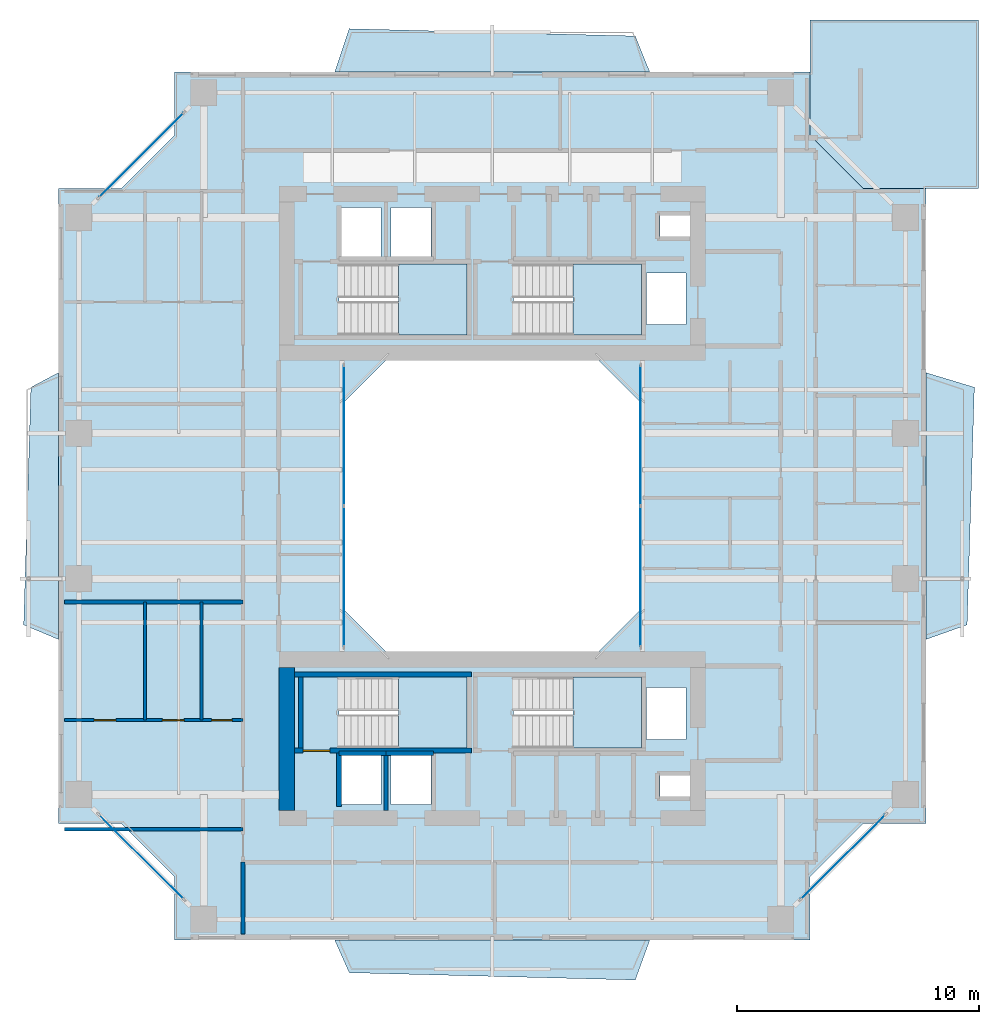
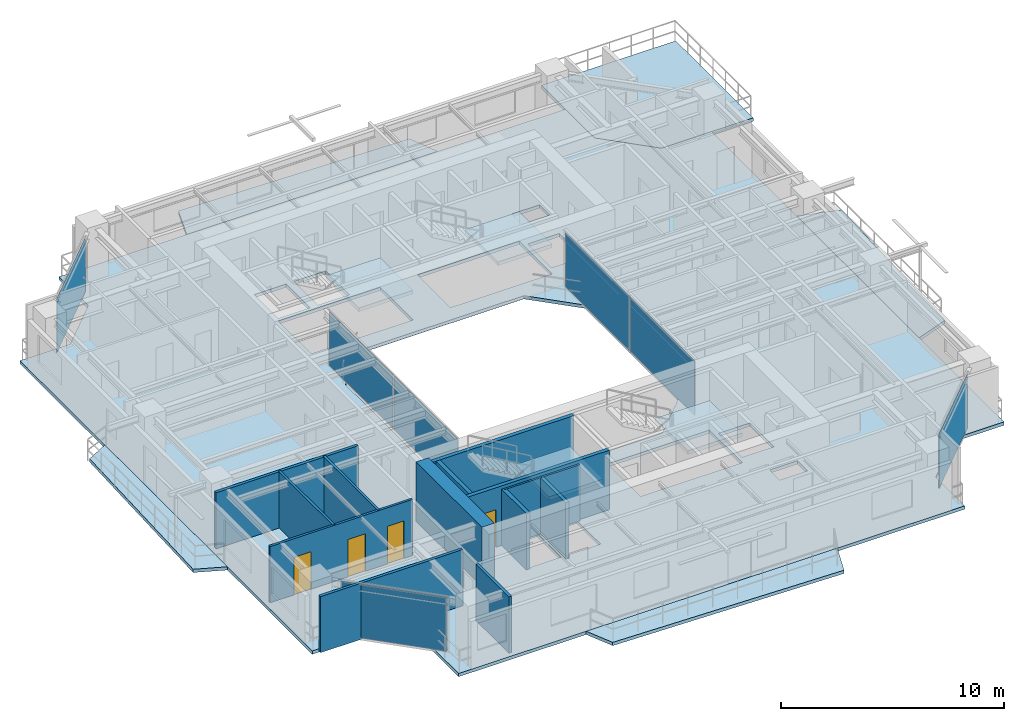
# One storey, part 9 of 17: 14 walls, 10 slabs, 7 plates, 4 doors, 4 openings, 9 elements without a shape of their own.
"""IFC4 building model written with IfcOpenShell, lengths in metres."""

from ifc_helpers import new_model, si_unit, direction, frame, frame_2d, origin, origin_2d, place, context, subcontext, project, spatial, polyline, rectangle, outline, extrude, source, transform, mapped, material, layer, layer_set, type_object, element, fill, aggregate, save


model = new_model("IFC4")

# Units and contexts
model_context = context("Model", 3, precision=1e-05, world=origin(), true_north=direction((0.0, 1.0)))
body_context = subcontext(model_context, "Body", "Model", "MODEL_VIEW")
ifc_project = project(units=[si_unit("LENGTHUNIT", "METRE"), si_unit("AREAUNIT", "SQUARE_METRE"), si_unit("VOLUMEUNIT", "CUBIC_METRE"), si_unit("PLANEANGLEUNIT", "RADIAN"), si_unit("MASSUNIT", "GRAM", prefix="KILO"), si_unit("THERMODYNAMICTEMPERATUREUNIT", "KELVIN"), si_unit("POWERUNIT", "WATT")], contexts=[model_context])

# Site, building, storey
site_placement = place(None, origin())
site = spatial("IfcSite", under=ifc_project, at=site_placement, CompositionType="ELEMENT")
building_placement = place(site_placement, origin())
building = spatial("IfcBuilding", under=site, at=building_placement, Name="Qiaomeng Ring Towers", CompositionType="ELEMENT")
storey_placement = place(building_placement, frame((0.0, 0.0, 123.0)))
storey = spatial("IfcBuildingStorey", under=building, at=storey_placement, Name="L35", CompositionType="ELEMENT", Elevation=123.0)

# Slabs
ifc_material_1 = material(Name="Concrete C40", Category="concrete")
ifc_layer_1 = layer(ifc_material_1, 0.179931640625, Name="Concrete C40")
ifc_layer_set_1 = layer_set([ifc_layer_1], Name="Concrete C40")
slab_type_1 = type_object("IfcSlabType", Name="STR-SL-180", PredefinedType="FLOOR", material=ifc_layer_set_1)
slab_1_placement = place(storey_placement, frame((0.0, 0.0, -0.179931640625)))
element("IfcSlab", 1, at=slab_1_placement, inside=storey, type_object=slab_type_1, Name="L35 Tower 1 Annular Floor Slab", PredefinedType="FLOOR", context=body_context, shape_type="SweptSolid", body=[
    extrude(outline(polyline([(5.89990234375, 5.10009765625), (32.10009765625, 5.10009765625), (32.10009765625, 7.699951171875), (34.300048828125, 9.89990234375), (36.89990234375, 9.89990234375), (36.89990234375, 36.10009765625), (34.300048828125, 36.10009765625), (32.10009765625, 38.300048828125), (32.10009765625, 40.89990234375), (5.89990234375, 40.89990234375), (5.89990234375, 38.300048828125), (3.699951171875, 36.10009765625), (1.10009765625, 36.10009765625), (1.10009765625, 9.89990234375), (3.699951171875, 9.89990234375), (5.89990234375, 7.699951171875), (5.89990234375, 5.10009765625)]), holes=[polyline([(12.780029296875, 10.679931640625), (12.780029296875, 12.820068359375), (14.419921875, 12.820068359375), (14.419921875, 10.679931640625), (12.780029296875, 10.679931640625)]), polyline([(14.830078125, 12.820068359375), (16.469970703125, 12.820068359375), (16.469970703125, 10.679931640625), (14.830078125, 10.679931640625), (14.830078125, 12.820068359375)]), polyline([(12.679931640625, 15.949951171875), (17.949951171875, 15.949951171875), (17.949951171875, 13.010009765625), (12.679931640625, 13.010009765625), (12.679931640625, 15.949951171875)]), polyline([(23.199951171875, 29.199951171875), (25.199951171875, 27.199951171875), (25.199951171875, 18.800048828125), (23.199951171875, 16.800048828125), (14.800048828125, 16.800048828125), (12.800048828125, 18.800048828125), (12.800048828125, 27.199951171875), (14.800048828125, 29.199951171875), (23.199951171875, 29.199951171875)]), polyline([(12.679931640625, 32.989990234375), (17.949951171875, 32.989990234375), (17.949951171875, 30.050048828125), (12.679931640625, 30.050048828125), (12.679931640625, 32.989990234375)]), polyline([(12.780029296875, 35.320068359375), (14.419921875, 35.320068359375), (14.419921875, 33.179931640625), (12.780029296875, 33.179931640625), (12.780029296875, 35.320068359375)]), polyline([(14.830078125, 33.179931640625), (14.830078125, 35.320068359375), (16.469970703125, 35.320068359375), (16.469970703125, 33.179931640625), (14.830078125, 33.179931640625)]), polyline([(25.919921875, 11.89990234375), (27.360107421875, 11.89990234375), (27.360107421875, 11.0), (25.919921875, 11.0), (25.919921875, 11.89990234375)]), polyline([(25.360107421875, 15.52001953125), (27.0, 15.52001953125), (27.0, 13.3798828125), (25.360107421875, 13.3798828125), (25.360107421875, 15.52001953125)]), polyline([(19.8798828125, 15.949951171875), (25.14990234375, 15.949951171875), (25.14990234375, 13.010009765625), (19.8798828125, 13.010009765625), (19.8798828125, 15.949951171875)]), polyline([(19.8798828125, 32.989990234375), (25.14990234375, 32.989990234375), (25.14990234375, 30.050048828125), (19.8798828125, 30.050048828125), (19.8798828125, 32.989990234375)]), polyline([(25.360107421875, 32.6201171875), (27.0, 32.6201171875), (27.0, 30.47998046875), (25.360107421875, 30.47998046875), (25.360107421875, 32.6201171875)]), polyline([(25.919921875, 35.0), (27.360107421875, 35.0), (27.360107421875, 34.10009765625), (25.919921875, 34.10009765625), (25.919921875, 35.0)])]), origin(), (0.0, 0.0, 1.0), 0.179931640625),
])
ifc_layer_2 = layer(ifc_material_1, 0.179931640625, Name="Concrete C40")
ifc_layer_set_2 = layer_set([ifc_layer_2], Name="Concrete C40")
slab_type_2 = type_object("IfcSlabType", Name="STR-SL-BAL", PredefinedType="FLOOR", material=ifc_layer_set_2)
slab_2_placement = place(storey_placement, frame((0.0, 0.0, -0.179931640625)))
element("IfcSlab", 2, at=slab_2_placement, inside=storey, type_object=slab_type_2, Name="L35 Tower 1 S Faceted Balcony Slab", PredefinedType="FLOOR", context=body_context, shape_type="SweptSolid", body=[
    extrude(outline(polyline([(24.89990234375, 3.449951171875), (13.10009765625, 3.75), (12.5, 5.10009765625), (25.5, 5.10009765625), (24.89990234375, 3.449951171875)])), origin(), (0.0, 0.0, 1.0), 0.179931640625),
])
slab_3_placement = place(storey_placement, frame((0.0, 0.0, -0.179931640625)))
element("IfcSlab", 3, at=slab_3_placement, inside=storey, type_object=slab_type_2, Name="L35 Tower 1 E Faceted Balcony Slab", PredefinedType="FLOOR", context=body_context, shape_type="SweptSolid", body=[
    extrude(outline(polyline([(38.889892578125, 27.89990234375), (38.590087890625, 18.10009765625), (36.89990234375, 17.5), (36.89990234375, 28.5), (38.889892578125, 27.89990234375)])), origin(), (0.0, 0.0, 1.0), 0.179931640625),
])
slab_4_placement = place(storey_placement, frame((0.0, 0.0, -0.179931640625)))
element("IfcSlab", 4, at=slab_4_placement, inside=storey, type_object=slab_type_2, Name="L35 Tower 1 N Faceted Balcony Slab", PredefinedType="FLOOR", context=body_context, shape_type="SweptSolid", body=[
    extrude(outline(polyline([(12.5, 40.89990234375), (13.10009765625, 42.68994140625), (24.89990234375, 42.389892578125), (25.5, 40.89990234375), (12.5, 40.89990234375)])), origin(), (0.0, 0.0, 1.0), 0.179931640625),
])
slab_5_placement = place(storey_placement, frame((0.0, 0.0, -0.179931640625)))
element("IfcSlab", 5, at=slab_5_placement, inside=storey, type_object=slab_type_2, Name="L35 Tower 1 W Faceted Balcony Slab", PredefinedType="FLOOR", context=body_context, shape_type="SweptSolid", body=[
    extrude(outline(polyline([(-0.330078125, 18.10009765625), (-0.030029296875, 27.89990234375), (1.10009765625, 28.5), (1.10009765625, 17.5), (-0.330078125, 18.10009765625)])), origin(), (0.0, 0.0, 1.0), 0.179931640625),
])

# Stair, slab
ifc_material_2 = material(Name="Precast concrete C40", Category="concrete")
stair_type = type_object("IfcStairType", Name="ARC-ST-325", PredefinedType="HALF_TURN_STAIR", material=ifc_material_2)
stair_1_placement = place(storey_placement, origin())
stair_1 = element("IfcStair", 6, at=stair_1_placement, inside=storey, type_object=stair_type, Name="L35 Tower 1 North Stair 1", PredefinedType="HALF_TURN_STAIR")
ifc_layer_3 = layer(ifc_material_1, 0.199951171875, Name="Concrete C40")
ifc_layer_set_3 = layer_set([ifc_layer_3], Name="Concrete C40")
slab_type_3 = type_object("IfcSlabType", Name="STR-SL-LANDING", PredefinedType="LANDING", material=ifc_layer_set_3)
slab_6_placement = place(storey_placement, frame((0.0, 0.0, 1.425048828125)))
slab_6 = element("IfcSlab", 7, at=slab_6_placement, type_object=slab_type_3, Name="ST1 landing 1", PredefinedType="LANDING", context=body_context, shape_type="SweptSolid", body=[
    extrude(outline(polyline([(15.139892578125, 30.050048828125), (17.949951171875, 30.050048828125), (17.949951171875, 32.989990234375), (15.139892578125, 32.989990234375), (15.139892578125, 30.050048828125)])), origin(), (0.0, 0.0, 1.0), 0.199951171875),
])
aggregate(stair_1, [slab_6])

stair_2_placement = place(storey_placement, origin())
stair_2 = element("IfcStair", 8, at=stair_2_placement, inside=storey, type_object=stair_type, Name="L35 Tower 1 North Stair 2", PredefinedType="HALF_TURN_STAIR")
slab_7_placement = place(storey_placement, frame((0.0, 0.0, 1.425048828125)))
slab_7 = element("IfcSlab", 9, at=slab_7_placement, type_object=slab_type_3, Name="ST2 landing 1", PredefinedType="LANDING", context=body_context, shape_type="SweptSolid", body=[
    extrude(outline(polyline([(22.340087890625, 30.050048828125), (25.14990234375, 30.050048828125), (25.14990234375, 32.989990234375), (22.340087890625, 32.989990234375), (22.340087890625, 30.050048828125)])), origin(), (0.0, 0.0, 1.0), 0.199951171875),
])
aggregate(stair_2, [slab_7])

stair_3_placement = place(storey_placement, origin())
stair_3 = element("IfcStair", 10, at=stair_3_placement, inside=storey, type_object=stair_type, Name="L35 Tower 1 South Stair 3", PredefinedType="HALF_TURN_STAIR")
slab_8_placement = place(storey_placement, frame((0.0, 0.0, 1.425048828125)))
slab_8 = element("IfcSlab", 11, at=slab_8_placement, type_object=slab_type_3, Name="ST3 landing 1", PredefinedType="LANDING", context=body_context, shape_type="SweptSolid", body=[
    extrude(outline(polyline([(15.139892578125, 13.010009765625), (17.949951171875, 13.010009765625), (17.949951171875, 15.949951171875), (15.139892578125, 15.949951171875), (15.139892578125, 13.010009765625)])), origin(), (0.0, 0.0, 1.0), 0.199951171875),
])
aggregate(stair_3, [slab_8])

stair_4_placement = place(storey_placement, origin())
stair_4 = element("IfcStair", 12, at=stair_4_placement, inside=storey, type_object=stair_type, Name="L35 Tower 1 South Stair 4", PredefinedType="HALF_TURN_STAIR")
slab_9_placement = place(storey_placement, frame((0.0, 0.0, 1.425048828125)))
slab_9 = element("IfcSlab", 13, at=slab_9_placement, type_object=slab_type_3, Name="ST4 landing 1", PredefinedType="LANDING", context=body_context, shape_type="SweptSolid", body=[
    extrude(outline(polyline([(22.340087890625, 13.010009765625), (25.14990234375, 13.010009765625), (25.14990234375, 15.949951171875), (22.340087890625, 15.949951171875), (22.340087890625, 13.010009765625)])), origin(), (0.0, 0.0, 1.0), 0.199951171875),
])
aggregate(stair_4, [slab_9])

# Slab
ifc_layer_4 = layer(ifc_material_1, 0.179931640625, Name="Concrete C40")
ifc_layer_set_4 = layer_set([ifc_layer_4], Name="Concrete C40")
slab_type_4 = type_object("IfcSlabType", Name="STR-SL-TERR180", PredefinedType="FLOOR", material=ifc_layer_set_4)
slab_10_placement = place(storey_placement, frame((0.0, 0.0, -0.179931640625)))
element("IfcSlab", 14, at=slab_10_placement, inside=storey, type_object=slab_type_4, Name="L35 Spiralling Corner Sky Terrace NE", PredefinedType="FLOOR", context=body_context, shape_type="SweptSolid", body=[
    extrude(outline(polyline([(32.10009765625, 43.050048828125), (39.050048828125, 43.050048828125), (39.050048828125, 36.10009765625), (36.89990234375, 36.10009765625), (34.300048828125, 36.10009765625), (32.10009765625, 38.300048828125), (32.10009765625, 40.89990234375), (32.10009765625, 43.050048828125)])), origin(), (0.0, 0.0, 1.0), 0.179931640625),
])

# Curtain wall, plates
ifc_material_3 = material(Name="Fluorocarbon dark-grey aluminium", Category="aluminium")
ifc_layer_5 = layer(ifc_material_3, 0.139892578125, Name="Fluorocarbon dark-grey aluminium")
ifc_layer_set_5 = layer_set([ifc_layer_5], Name="Fluorocarbon dark-grey aluminium")
curtain_wall_type_1 = type_object("IfcCurtainWallType", Name="ARC-CW-4", PredefinedType="NOTDEFINED", material=ifc_layer_set_5)
curtain_wall_1_placement = place(storey_placement, origin())
curtain_wall_1 = element("IfcCurtainWall", 15, at=curtain_wall_1_placement, inside=storey, type_object=curtain_wall_type_1, Name="L35 Curtain Wall CW4", PredefinedType="NOTDEFINED")
ifc_material_4 = material(Name="Low-E dark-grey laminated double glazing", Category="glass")
ifc_layer_6 = layer(ifc_material_4, 0.028076171875, Name="Low-E dark-grey laminated double glazing")
ifc_layer_set_6 = layer_set([ifc_layer_6], Name="Low-E dark-grey laminated double glazing")
plate_type = type_object("IfcPlateType", Name="ARC-CWP-DARK", PredefinedType="CURTAIN_PANEL", material=ifc_layer_set_6)
shared_shape_1 = source(origin(), body_context, "Body", "SweptSolid", [
    extrude(rectangle(XDim=5.75244140625, YDim=0.028076171875, at=origin_2d()), origin(), (0.0, 0.0, 1.0), 2.93994140625),
])
plate_1_placement = place(storey_placement, frame((12.8798828125, 20.09130859375, 0.06494140625), z_axis=(0.0, 0.0, 1.0), x_axis=(0.0, 1.0, 0.0)))
plate_1 = element("IfcPlate", 16, at=plate_1_placement, type_object=plate_type, Name="CW4 panel 1.1", PredefinedType="CURTAIN_PANEL", context=body_context, shape_type="MappedRepresentation", body=[
    mapped(shared_shape_1, transform((0.0, 0.0, 0.0), x_axis=(1.0, 0.0, 0.0), y_axis=(0.0, 1.0, 0.0), z_axis=(0.0, 0.0, 1.0), scale=1.0)),
])
plate_2_placement = place(storey_placement, frame((12.8798828125, 25.90869140625, 0.06494140625), z_axis=(0.0, 0.0, 1.0), x_axis=(0.0, 1.0, 0.0)))
plate_2 = element("IfcPlate", 17, at=plate_2_placement, type_object=plate_type, Name="CW4 panel 2.1", PredefinedType="CURTAIN_PANEL", context=body_context, shape_type="MappedRepresentation", body=[
    mapped(shared_shape_1, transform((0.0, 0.0, 0.0), x_axis=(1.0, 0.0, 0.0), y_axis=(0.0, 1.0, 0.0), z_axis=(0.0, 0.0, 1.0), scale=1.0)),
])
aggregate(curtain_wall_1, [plate_1, plate_2])

curtain_wall_2_placement = place(storey_placement, origin())
curtain_wall_2 = element("IfcCurtainWall", 18, at=curtain_wall_2_placement, inside=storey, type_object=curtain_wall_type_1, Name="L35 Curtain Wall CW4", PredefinedType="NOTDEFINED")
plate_3_placement = place(storey_placement, frame((25.1201171875, 20.09130859375, 0.06494140625), z_axis=(0.0, 0.0, 1.0), x_axis=(0.0, 1.0, 0.0)))
plate_3 = element("IfcPlate", 19, at=plate_3_placement, type_object=plate_type, Name="CW4 panel 1.1", PredefinedType="CURTAIN_PANEL", context=body_context, shape_type="MappedRepresentation", body=[
    mapped(shared_shape_1, transform((0.0, 0.0, 0.0), x_axis=(1.0, 0.0, 0.0), y_axis=(0.0, 1.0, 0.0), z_axis=(0.0, 0.0, 1.0), scale=1.0)),
])
plate_4_placement = place(storey_placement, frame((25.1201171875, 25.90869140625, 0.06494140625), z_axis=(0.0, 0.0, 1.0), x_axis=(0.0, 1.0, 0.0)))
plate_4 = element("IfcPlate", 20, at=plate_4_placement, type_object=plate_type, Name="CW4 panel 2.1", PredefinedType="CURTAIN_PANEL", context=body_context, shape_type="MappedRepresentation", body=[
    mapped(shared_shape_1, transform((0.0, 0.0, 0.0), x_axis=(1.0, 0.0, 0.0), y_axis=(0.0, 1.0, 0.0), z_axis=(0.0, 0.0, 1.0), scale=1.0)),
])
aggregate(curtain_wall_2, [plate_3, plate_4])

# Curtain wall, plate
ifc_layer_7 = layer(ifc_material_3, 0.14990234375, Name="Fluorocarbon dark-grey aluminium")
ifc_layer_set_7 = layer_set([ifc_layer_7], Name="Fluorocarbon dark-grey aluminium")
curtain_wall_type_2 = type_object("IfcCurtainWallType", Name="ARC-CW-3", PredefinedType="NOTDEFINED", material=ifc_layer_set_7)
curtain_wall_3_placement = place(storey_placement, origin())
curtain_wall_3 = element("IfcCurtainWall", 21, at=curtain_wall_3_placement, inside=storey, type_object=curtain_wall_type_2, Name="L35 Curtain Wall CW3", PredefinedType="NOTDEFINED")
shared_shape_2 = source(origin(), body_context, "Body", "SweptSolid", [
    extrude(rectangle(XDim=4.90869140625, YDim=0.028076171875, at=origin_2d()), origin(), (0.0, 0.0, 1.0), 2.93994140625),
])
plate_5_placement = place(storey_placement, frame((33.47509765625, 8.52490234375, 0.06494140625), z_axis=(0.0, 0.0, 1.0), x_axis=(0.707106781187, 0.707106781187, 0.0)))
plate_5 = element("IfcPlate", 22, at=plate_5_placement, type_object=plate_type, Name="CW3 panel 1.1", PredefinedType="CURTAIN_PANEL", context=body_context, shape_type="MappedRepresentation", body=[
    mapped(shared_shape_2, transform((0.0, 0.0, 0.0), x_axis=(1.0, 0.0, 0.0), y_axis=(0.0, 1.0, 0.0), z_axis=(0.0, 0.0, 1.0), scale=1.0)),
])
aggregate(curtain_wall_3, [plate_5])

curtain_wall_4_placement = place(storey_placement, origin())
curtain_wall_4 = element("IfcCurtainWall", 23, at=curtain_wall_4_placement, inside=storey, type_object=curtain_wall_type_2, Name="L35 Curtain Wall CW3", PredefinedType="NOTDEFINED")
plate_6_placement = place(storey_placement, frame((4.52490234375, 37.47509765625, 0.06494140625), z_axis=(0.0, 0.0, 1.0), x_axis=(-0.707106781187, -0.707106781187, 0.0)))
plate_6 = element("IfcPlate", 24, at=plate_6_placement, type_object=plate_type, Name="CW3 panel 1.1", PredefinedType="CURTAIN_PANEL", context=body_context, shape_type="MappedRepresentation", body=[
    mapped(shared_shape_2, transform((0.0, 0.0, 0.0), x_axis=(1.0, 0.0, 0.0), y_axis=(0.0, 1.0, 0.0), z_axis=(0.0, 0.0, 1.0), scale=1.0)),
])
aggregate(curtain_wall_4, [plate_6])

curtain_wall_5_placement = place(storey_placement, origin())
curtain_wall_5 = element("IfcCurtainWall", 25, at=curtain_wall_5_placement, inside=storey, type_object=curtain_wall_type_2, Name="L35 Curtain Wall CW3", PredefinedType="NOTDEFINED")
plate_7_placement = place(storey_placement, frame((4.52490234375, 8.52490234375, 0.06494140625), z_axis=(0.0, 0.0, 1.0), x_axis=(0.707106781187, -0.707106781187, 0.0)))
plate_7 = element("IfcPlate", 26, at=plate_7_placement, type_object=plate_type, Name="CW3 panel 1.1", PredefinedType="CURTAIN_PANEL", context=body_context, shape_type="MappedRepresentation", body=[
    mapped(shared_shape_2, transform((0.0, 0.0, 0.0), x_axis=(1.0, 0.0, 0.0), y_axis=(0.0, 1.0, 0.0), z_axis=(0.0, 0.0, 1.0), scale=1.0)),
])
aggregate(curtain_wall_5, [plate_7])

# Walls
ifc_material_5 = material(Name="Autoclaved aerated concrete block", Category="concrete")
ifc_layer_8 = layer(ifc_material_5, 0.199951171875, Name="Autoclaved aerated concrete block")
ifc_layer_set_8 = layer_set([ifc_layer_8], Name="Autoclaved aerated concrete block")
wall_type_1 = type_object("IfcWallType", Name="ARC-WL-PW1", PredefinedType="PARTITIONING", material=ifc_layer_set_8)
wall_1_placement = place(storey_placement, frame((12.679931640625, 10.60009765625, 0.0), z_axis=(0.0, 0.0, 1.0), x_axis=(0.0, 1.0, 0.0)))
element("IfcWall", 27, at=wall_1_placement, inside=storey, type_object=wall_type_1, Name="L35 Interior Wall PW1", PredefinedType="PARTITIONING", context=body_context, shape_type="SweptSolid", body=[
    extrude(rectangle(XDim=2.2099609375, YDim=0.199951171875, at=frame_2d((1.10498046875, 0.0))), origin(), (0.0, 0.0, 1.0), 3.070068359375),
])
ifc_material_6 = material(Name="Gypsum fireboard steel-stud partition", Category="steel")
ifc_layer_9 = layer(ifc_material_6, 0.14990234375, Name="Gypsum fireboard steel-stud partition")
ifc_layer_set_9 = layer_set([ifc_layer_9], Name="Gypsum fireboard steel-stud partition")
wall_type_2 = type_object("IfcWallType", Name="ARC-WL-PW3", PredefinedType="PARTITIONING", material=ifc_layer_set_9)
wall_2_placement = place(storey_placement, frame((8.719970703125, 5.35009765625, 0.0), z_axis=(0.0, 0.0, 1.0), x_axis=(0.0, 1.0, 0.0)))
element("IfcWall", 28, at=wall_2_placement, inside=storey, type_object=wall_type_2, Name="L35 Interior Wall PW3", PredefinedType="PARTITIONING", context=body_context, shape_type="SweptSolid", body=[
    extrude(rectangle(XDim=2.9599609375, YDim=0.14990234375, at=frame_2d((1.47998046875, 0.0))), origin(), (0.0, 0.0, 1.0), 3.070068359375),
])
for number, where, z_axis, x_axis, name in (
    (29, (1.35009765625, 9.669921875, 0.0), (0.0, 0.0, 1.0), (1.0, 0.0, 0.0), "L35 Interior Wall PW3"),
    (30, (1.35009765625, 19.0400390625, 0.0), (0.0, 0.0, 1.0), (1.0, 0.0, 0.0), "L35 Interior Wall PW3"),
):
    element("IfcWall", number, at=place(storey_placement, frame(where, z_axis=z_axis, x_axis=x_axis)), inside=storey, type_object=wall_type_2, Name=name, PredefinedType="PARTITIONING", context=body_context, shape_type="SweptSolid", body=[
        extrude(rectangle(XDim=7.369873046875, YDim=0.14990234375, at=frame_2d((3.68505859375, 0.0))), origin(), (0.0, 0.0, 1.0), 3.070068359375),
    ])

# Wall, openings, doors
ifc_material_7 = material(Name="Moisture-resistant gypsum steel-stud partition", Category="steel")
ifc_layer_10 = layer(ifc_material_7, 0.1201171875, Name="Moisture-resistant gypsum steel-stud partition")
ifc_layer_set_10 = layer_set([ifc_layer_10], Name="Moisture-resistant gypsum steel-stud partition")
wall_type_3 = type_object("IfcWallType", Name="ARC-WL-PW4", PredefinedType="PLUMBINGWALL", material=ifc_layer_set_10)
wall_3_placement = place(storey_placement, frame((1.35009765625, 14.169921875, 0.0), z_axis=(0.0, 0.0, 1.0), x_axis=(1.0, 0.0, 0.0)))
wall_3 = element("IfcWall", 31, at=wall_3_placement, inside=storey, type_object=wall_type_3, Name="L35 Interior Wall PW4", PredefinedType="PLUMBINGWALL", context=body_context, shape_type="SweptSolid", body=[
    extrude(rectangle(XDim=7.369873046875, YDim=0.1201171875, at=frame_2d((3.68505859375, 0.0))), origin(), (0.0, 0.0, 1.0), 3.070068359375),
])
opening_1_placement = place(wall_3_placement, frame((1.22509765625, 0.0, 0.0)))
opening_1 = element("IfcOpeningElement", 32, at=opening_1_placement, cuts=wall_3, Name="Opening ID1", PredefinedType="OPENING", context=body_context, shape_type="SweptSolid", body=[
    extrude(rectangle(XDim=0.89990234375, YDim=2.050048828125, at=frame_2d((0.449951171875, 1.02490234375))), frame((0.0, 0.070068359375, 0.0), z_axis=(0.0, -1.0, 0.0), x_axis=(1.0, 0.0, 0.0)), (0.0, 0.0, 1.0), 0.14013671875),
])
opening_2_placement = place(wall_3_placement, frame((4.0400390625, 0.0, 0.0)))
opening_2 = element("IfcOpeningElement", 33, at=opening_2_placement, cuts=wall_3, Name="Opening ID1", PredefinedType="OPENING", context=body_context, shape_type="SweptSolid", body=[
    extrude(rectangle(XDim=0.89990234375, YDim=2.050048828125, at=frame_2d((0.449951171875, 1.02490234375))), frame((0.0, 0.070068359375, 0.0), z_axis=(0.0, -1.0, 0.0), x_axis=(1.0, 0.0, 0.0)), (0.0, 0.0, 1.0), 0.14013671875),
])
opening_3_placement = place(wall_3_placement, frame((6.074951171875, 0.0, 0.0)))
opening_3 = element("IfcOpeningElement", 34, at=opening_3_placement, cuts=wall_3, Name="Opening ID2", PredefinedType="OPENING", context=body_context, shape_type="SweptSolid", body=[
    extrude(rectangle(XDim=0.85009765625, YDim=2.050048828125, at=frame_2d((0.425048828125, 1.02490234375))), frame((0.0, 0.070068359375, 0.0), z_axis=(0.0, -1.0, 0.0), x_axis=(1.0, 0.0, 0.0)), (0.0, 0.0, 1.0), 0.14013671875),
])
ifc_material_8 = material(Name="Moisture-resistant engineered timber", Category="wood")
door_type_1 = type_object("IfcDoorType", Name="ARC-DR-ID2", OperationType="NOTDEFINED", PredefinedType="DOOR", material=ifc_material_8)
shared_shape_3 = source(origin(), body_context, "Body", "SweptSolid", [
    extrude(rectangle(XDim=0.85009765625, YDim=2.050048828125, at=frame_2d((0.425048828125, 1.02490234375))), frame((0.0, 0.02490234375, 0.0), z_axis=(0.0, -1.0, 0.0), x_axis=(1.0, 0.0, 0.0)), (0.0, 0.0, 1.0), 0.050048828125),
])
door_1_placement = place(opening_3_placement, origin())
door_1 = element("IfcDoor", 35, at=door_1_placement, inside=storey, type_object=door_type_1, Name="L35 Door ID2", OperationType="SINGLE_SWING_RIGHT", OverallHeight=2.050048828125, OverallWidth=0.85009765625, PredefinedType="DOOR", context=body_context, shape_type="MappedRepresentation", body=[
    mapped(shared_shape_3, transform((0.0, 0.0, 0.0), x_axis=(1.0, 0.0, 0.0), y_axis=(0.0, 1.0, 0.0), z_axis=(0.0, 0.0, 1.0), scale=1.0)),
])
fill(opening_3, door_1)
ifc_material_9 = material(Name="Engineered oak timber", Category="wood")
door_type_2 = type_object("IfcDoorType", Name="ARC-DR-ID1", OperationType="NOTDEFINED", PredefinedType="DOOR", material=ifc_material_9)
shared_shape_4 = source(origin(), body_context, "Body", "SweptSolid", [
    extrude(rectangle(XDim=0.89990234375, YDim=2.050048828125, at=frame_2d((0.449951171875, 1.02490234375))), frame((0.0, 0.02490234375, 0.0), z_axis=(0.0, -1.0, 0.0), x_axis=(1.0, 0.0, 0.0)), (0.0, 0.0, 1.0), 0.050048828125),
])
door_2_placement = place(opening_1_placement, origin())
door_2 = element("IfcDoor", 36, at=door_2_placement, inside=storey, type_object=door_type_2, Name="L35 Door ID1", OperationType="SINGLE_SWING_RIGHT", OverallHeight=2.050048828125, OverallWidth=0.89990234375, PredefinedType="DOOR", context=body_context, shape_type="MappedRepresentation", body=[
    mapped(shared_shape_4, transform((0.0, 0.0, 0.0), x_axis=(1.0, 0.0, 0.0), y_axis=(0.0, 1.0, 0.0), z_axis=(0.0, 0.0, 1.0), scale=1.0)),
])
fill(opening_1, door_2)
door_3_placement = place(opening_2_placement, origin())
door_3 = element("IfcDoor", 37, at=door_3_placement, inside=storey, type_object=door_type_2, Name="L35 Door ID1", OperationType="SINGLE_SWING_LEFT", OverallHeight=2.050048828125, OverallWidth=0.89990234375, PredefinedType="DOOR", context=body_context, shape_type="MappedRepresentation", body=[
    mapped(shared_shape_4, transform((0.0, 0.0, 0.0), x_axis=(1.0, 0.0, 0.0), y_axis=(0.0, 1.0, 0.0), z_axis=(0.0, 0.0, 1.0), scale=1.0)),
])
fill(opening_2, door_3)

# Walls
for number, where, z_axis, x_axis, name in (
    (38, (4.679931640625, 14.169921875, 0.0), (0.0, 0.0, 1.0), (0.0, 1.0, 0.0), "L35 Interior Wall PW4"),
    (39, (7.0, 14.169921875, 0.0), (0.0, 0.0, 1.0), (0.0, 1.0, 0.0), "L35 Interior Wall PW4"),
):
    element("IfcWall", number, at=place(storey_placement, frame(where, z_axis=z_axis, x_axis=x_axis)), inside=storey, type_object=wall_type_3, Name=name, PredefinedType="PLUMBINGWALL", context=body_context, shape_type="SweptSolid", body=[
        extrude(rectangle(XDim=4.8701171875, YDim=0.1201171875, at=frame_2d((2.43505859375, 0.0))), origin(), (0.0, 0.0, 1.0), 3.070068359375),
    ])
ifc_layer_11 = layer(ifc_material_1, 0.199951171875, Name="Concrete C40")
ifc_layer_set_11 = layer_set([ifc_layer_11], Name="Concrete C40")
wall_type_4 = type_object("IfcWallType", Name="STR-WL-STSHAFT", PredefinedType="SHEAR", material=ifc_layer_set_11)
wall_4_placement = place(storey_placement, frame((12.679931640625, 12.800048828125, 0.0), z_axis=(0.0, 0.0, 1.0), x_axis=(1.0, 0.0, 0.0)))
element("IfcWall", 40, at=wall_4_placement, inside=storey, type_object=wall_type_4, Name="L35 Lift LP6 Shaft Back Wall", PredefinedType="SHEAR", context=body_context, shape_type="SweptSolid", body=[
    extrude(rectangle(XDim=1.940185546875, YDim=0.179931640625, at=frame_2d((0.97021484375, 0.0))), origin(), (0.0, 0.0, 1.0), 3.070068359375),
])
wall_5_placement = place(storey_placement, frame((14.6201171875, 10.449951171875, 0.0), z_axis=(0.0, 0.0, 1.0), x_axis=(0.0, 1.0, 0.0)))
element("IfcWall", 41, at=wall_5_placement, inside=storey, type_object=wall_type_4, Name="L35 Lift LP6-LP4 Shaft Divider Wall", PredefinedType="SHEAR", context=body_context, shape_type="SweptSolid", body=[
    extrude(rectangle(XDim=2.35009765625, YDim=0.179931640625, at=frame_2d((1.175048828125, 0.0))), origin(), (0.0, 0.0, 1.0), 3.070068359375),
])
wall_6_placement = place(storey_placement, frame((14.6201171875, 12.800048828125, 0.0), z_axis=(0.0, 0.0, 1.0), x_axis=(1.0, 0.0, 0.0)))
element("IfcWall", 42, at=wall_6_placement, inside=storey, type_object=wall_type_4, Name="L35 Lift LP4 Shaft Back Wall", PredefinedType="SHEAR", context=body_context, shape_type="SweptSolid", body=[
    extrude(rectangle(XDim=1.9599609375, YDim=0.179931640625, at=frame_2d((0.97998046875, 0.0))), origin(), (0.0, 0.0, 1.0), 3.070068359375),
])

# Wall, opening, door
wall_7_placement = place(storey_placement, frame((10.85009765625, 12.909912109375, 0.0), z_axis=(0.0, 0.0, 1.0), x_axis=(1.0, 0.0, 0.0)))
wall_7 = element("IfcWall", 43, at=wall_7_placement, inside=storey, type_object=wall_type_4, Name="L35 Stair ST3 South Shaft Shear Wall", PredefinedType="SHEAR", context=body_context, shape_type="SweptSolid", body=[
    extrude(rectangle(XDim=7.2998046875, YDim=0.199951171875, at=frame_2d((3.64990234375, 0.0))), origin(), (0.0, 0.0, 1.0), 3.25),
])
opening_4_placement = place(wall_7_placement, frame((0.35009765625, 0.0, 0.0)))
opening_4 = element("IfcOpeningElement", 44, at=opening_4_placement, cuts=wall_7, Name="Opening FD3", PredefinedType="OPENING", context=body_context, shape_type="SweptSolid", body=[
    extrude(rectangle(XDim=1.10009765625, YDim=2.050048828125, at=frame_2d((0.550048828125, 1.02490234375))), frame((0.0, 0.10986328125, 0.0), z_axis=(0.0, -1.0, 0.0), x_axis=(1.0, 0.0, 0.0)), (0.0, 0.0, 1.0), 0.219970703125),
])
ifc_material_10 = material(Name="Galvanised steel", Category="steel")
door_type_3 = type_object("IfcDoorType", Name="ARC-DR-FD3", OperationType="NOTDEFINED", PredefinedType="DOOR", material=ifc_material_10)
shared_shape_5 = source(origin(), body_context, "Body", "SweptSolid", [
    extrude(rectangle(XDim=1.10009765625, YDim=2.050048828125, at=frame_2d((0.550048828125, 1.02490234375))), frame((0.0, 0.02490234375, 0.0), z_axis=(0.0, -1.0, 0.0), x_axis=(1.0, 0.0, 0.0)), (0.0, 0.0, 1.0), 0.050048828125),
])
door_4_placement = place(opening_4_placement, frame((1.10009765625, 0.0, 0.0), z_axis=(0.0, 0.0, 1.0), x_axis=(-1.0, 0.0, 0.0)))
door_4 = element("IfcDoor", 45, at=door_4_placement, inside=storey, type_object=door_type_3, Name="L35 Stair ST3 Exit Door", OperationType="SINGLE_SWING_LEFT", OverallHeight=2.050048828125, OverallWidth=1.10009765625, PredefinedType="DOOR", context=body_context, shape_type="MappedRepresentation", body=[
    mapped(shared_shape_5, transform((0.0, 0.0, 0.0), x_axis=(1.0, 0.0, 0.0), y_axis=(0.0, 1.0, 0.0), z_axis=(0.0, 0.0, 1.0), scale=1.0)),
])
fill(opening_4, door_4)

# Walls
wall_8_placement = place(storey_placement, frame((10.85009765625, 16.050048828125, 0.0), z_axis=(0.0, 0.0, 1.0), x_axis=(1.0, 0.0, 0.0)))
element("IfcWall", 46, at=wall_8_placement, inside=storey, type_object=wall_type_4, Name="L35 Stair ST3 North Shaft Shear Wall", PredefinedType="SHEAR", context=body_context, shape_type="SweptSolid", body=[
    extrude(rectangle(XDim=7.2998046875, YDim=0.199951171875, at=frame_2d((3.64990234375, 0.0))), origin(), (0.0, 0.0, 1.0), 3.25),
])
wall_9_placement = place(storey_placement, frame((11.10009765625, 13.010009765625, 0.0), z_axis=(0.0, 0.0, 1.0), x_axis=(0.0, 1.0, 0.0)))
element("IfcWall", 47, at=wall_9_placement, inside=storey, type_object=wall_type_4, Name="L35 Stair ST3 West Shaft Shear Wall", PredefinedType="SHEAR", context=body_context, shape_type="SweptSolid", body=[
    extrude(rectangle(XDim=2.93994140625, YDim=0.199951171875, at=frame_2d((1.469970703125, 0.0))), origin(), (0.0, 0.0, 1.0), 3.25),
])
ifc_material_11 = material(Name="Concrete C55", Category="concrete")
ifc_layer_12 = layer(ifc_material_11, 0.64990234375, Name="Concrete C55")
ifc_layer_set_12 = layer_set([ifc_layer_12], Name="Concrete C55")
wall_type_5 = type_object("IfcWallType", Name="STR-WL-SW2A", PredefinedType="SHEAR", material=ifc_layer_set_12)
wall_10_placement = place(storey_placement, frame((10.52490234375, 10.449951171875, 0.0), z_axis=(0.0, 0.0, 1.0), x_axis=(0.0, 1.0, 0.0)))
element("IfcWall", 48, at=wall_10_placement, inside=storey, type_object=wall_type_5, Name="L35 T1SC west core shear wall", PredefinedType="SHEAR", context=body_context, shape_type="SweptSolid", body=[
    extrude(rectangle(XDim=5.900146484375, YDim=0.64990234375, at=frame_2d((2.9501953125, 0.0))), origin(), (0.0, 0.0, 1.0), 3.25),
])

save(model, "model.ifc")
